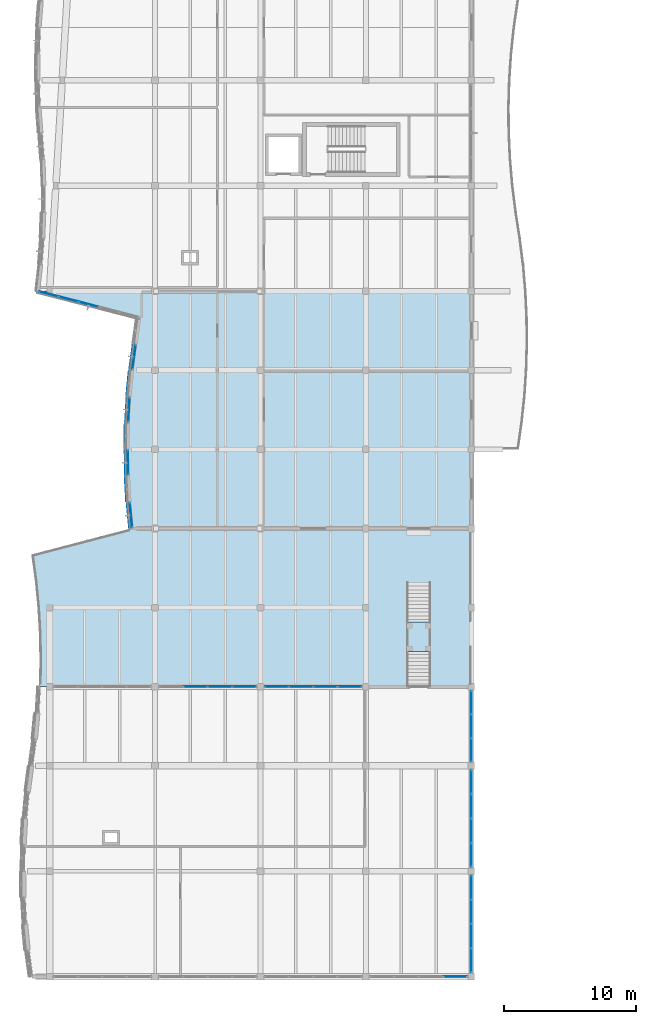
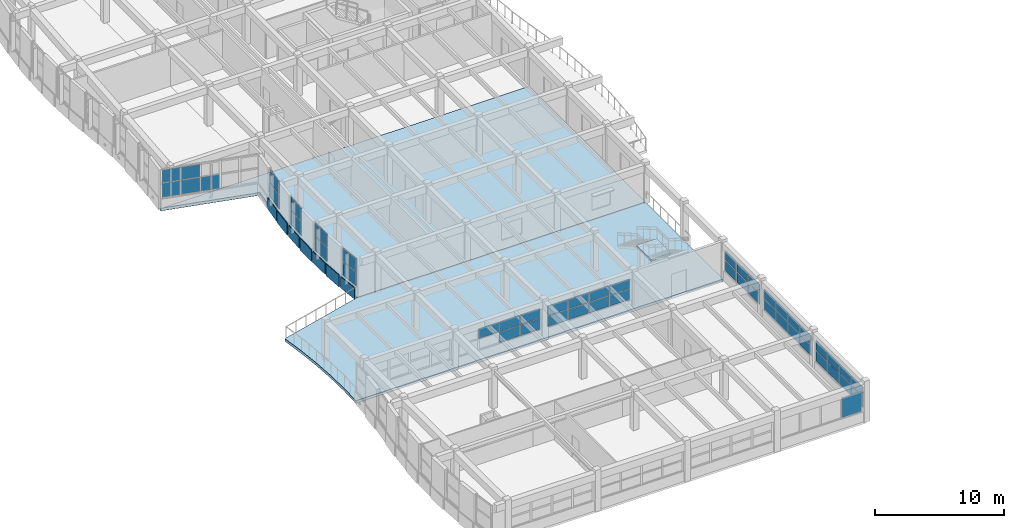
# One storey, part 44 of 89: 56 plates, 3 slabs, 12 elements without a shape of their own.
"""IFC4 building model written with IfcOpenShell, lengths in metres."""

from ifc_helpers import new_model, si_unit, direction, frame, origin, origin_2d, place, context, subcontext, project, spatial, polyline, rectangle, outline, extrude, material, layer, layer_set, type_object, element, aggregate, save


model = new_model("IFC4")

# Units and contexts
model_context = context("Model", 3, precision=1e-05, world=origin(), true_north=direction((0.0, 1.0)))
body_context = subcontext(model_context, "Body", "Model", "MODEL_VIEW")
ifc_project = project(units=[si_unit("LENGTHUNIT", "METRE"), si_unit("AREAUNIT", "SQUARE_METRE"), si_unit("VOLUMEUNIT", "CUBIC_METRE"), si_unit("PLANEANGLEUNIT", "RADIAN"), si_unit("MASSUNIT", "GRAM", prefix="KILO")], contexts=[model_context])

# Site, building, storey
site_placement = place(None, origin())
site = spatial("IfcSite", under=ifc_project, at=site_placement, CompositionType="ELEMENT")
building_placement = place(site_placement, origin())
building = spatial("IfcBuilding", under=site, at=building_placement, Name="Tonlespit Floodbar School", CompositionType="ELEMENT")
storey_placement = place(building_placement, frame((0.0, 0.0, 4.5)))
storey = spatial("IfcBuildingStorey", under=building, at=storey_placement, Name="L01", CompositionType="ELEMENT", Elevation=4.5)

# Curtain wall, plates
ifc_material_1 = material(Name="Anodised Aluminium", Category="aluminium")
ifc_layer_1 = layer(ifc_material_1, 0.159912109375)
ifc_layer_set_1 = layer_set([ifc_layer_1], Name="Anodised Aluminium")
curtain_wall_type_1 = type_object("IfcCurtainWallType", Name="CurtainWall_1900x2700", PredefinedType="NOTDEFINED", material=ifc_layer_set_1)
curtain_wall_1_placement = place(storey_placement, origin())
curtain_wall_1 = element("IfcCurtainWall", 1, at=curtain_wall_1_placement, inside=storey, type_object=curtain_wall_type_1, Name="L01 unitised curtain wall 0269", PredefinedType="NOTDEFINED")
ifc_material_2 = material(Name="Laminated Low-E Glass", Category="glass")
ifc_layer_2 = layer(ifc_material_2, 0.028076171875)
ifc_layer_set_2 = layer_set([ifc_layer_2], Name="Laminated Low-E Glass")
plate_type_1 = type_object("IfcPlateType", Name="CW_Panel_Glaz_28", PredefinedType="CURTAIN_PANEL", material=ifc_layer_set_2)
plate_1_placement = place(storey_placement, frame((10.027099609375, 47.0, 1.01513671875), z_axis=(0.0, 0.0, 1.0), x_axis=(0.057710137129, 0.998333381227, 0.0)))
plate_1 = element("IfcPlate", 2, at=plate_1_placement, type_object=plate_type_1, Name="CW-05 panel 1.1", PredefinedType="CURTAIN_PANEL", context=body_context, shape_type="SweptSolid", body=[
    extrude(rectangle(XDim=1.79345703125, YDim=0.028076171875, at=origin_2d()), origin(), (0.0, 0.0, 1.0), 1.306396484375),
])
plate_2_placement = place(storey_placement, frame((10.027099609375, 47.0, 2.38671875), z_axis=(0.0, 0.0, 1.0), x_axis=(0.057710137129, 0.998333381227, 0.0)))
plate_2 = element("IfcPlate", 3, at=plate_2_placement, type_object=plate_type_1, Name="CW-05 panel 1.2", PredefinedType="CURTAIN_PANEL", context=body_context, shape_type="SweptSolid", body=[
    extrude(rectangle(XDim=1.79345703125, YDim=0.028076171875, at=origin_2d()), origin(), (0.0, 0.0, 1.0), 1.198486328125),
])
aggregate(curtain_wall_1, [plate_1, plate_2])

ifc_layer_3 = layer(ifc_material_1, 0.159912109375)
ifc_layer_set_3 = layer_set([ifc_layer_3], Name="Anodised Aluminium")
curtain_wall_type_2 = type_object("IfcCurtainWallType", Name="CurtainWall_1950x2700", PredefinedType="NOTDEFINED", material=ifc_layer_set_3)
curtain_wall_2_placement = place(storey_placement, origin())
curtain_wall_2 = element("IfcCurtainWall", 4, at=curtain_wall_2_placement, inside=storey, type_object=curtain_wall_type_2, Name="L01 unitised curtain wall 0270", PredefinedType="NOTDEFINED")
ifc_layer_4 = layer(ifc_material_2, 0.031982421875)
ifc_layer_set_4 = layer_set([ifc_layer_4], Name="Laminated Low-E Glass")
plate_type_2 = type_object("IfcPlateType", Name="CW_Panel_Glaz_32", PredefinedType="CURTAIN_PANEL", material=ifc_layer_set_4)
plate_3_placement = place(storey_placement, frame((10.4140625, 51.0, 1.01513671875), z_axis=(0.0, 0.0, 1.0), x_axis=(0.134643564765, 0.990894096494, 0.0)))
plate_3 = element("IfcPlate", 5, at=plate_3_placement, type_object=plate_type_2, Name="CW-04 panel 1.1", PredefinedType="CURTAIN_PANEL", context=body_context, shape_type="SweptSolid", body=[
    extrude(rectangle(XDim=1.808349609375, YDim=0.031982421875, at=origin_2d()), origin(), (0.0, 0.0, 1.0), 1.306396484375),
])
plate_4_placement = place(storey_placement, frame((10.4140625, 51.0, 2.38671875), z_axis=(0.0, 0.0, 1.0), x_axis=(0.134643564765, 0.990894096494, 0.0)))
plate_4 = element("IfcPlate", 6, at=plate_4_placement, type_object=plate_type_2, Name="CW-04 panel 1.2", PredefinedType="CURTAIN_PANEL", context=body_context, shape_type="SweptSolid", body=[
    extrude(rectangle(XDim=1.808349609375, YDim=0.031982421875, at=origin_2d()), origin(), (0.0, 0.0, 1.0), 1.198486328125),
])
aggregate(curtain_wall_2, [plate_3, plate_4])

# Curtain wall, plate
ifc_layer_5 = layer(ifc_material_1, 0.159912109375)
ifc_layer_set_5 = layer_set([ifc_layer_5], Name="Anodised Aluminium")
curtain_wall_type_3 = type_object("IfcCurtainWallType", Name="CurtainWall_7400x2000", PredefinedType="NOTDEFINED", material=ifc_layer_set_5)
curtain_wall_3_placement = place(storey_placement, origin())
curtain_wall_3 = element("IfcCurtainWall", 7, at=curtain_wall_3_placement, inside=storey, type_object=curtain_wall_type_3, Name="L01 unitised curtain wall 0518", PredefinedType="NOTDEFINED")
plate_5_placement = place(storey_placement, frame((34.766357421875, 4.0, 1.01513671875), z_axis=(0.0, 0.0, 1.0), x_axis=(-1.0, 0.0, 0.0)))
plate_5 = element("IfcPlate", 8, at=plate_5_placement, type_object=plate_type_2, Name="CW-60 panel 1.1", PredefinedType="CURTAIN_PANEL", context=body_context, shape_type="SweptSolid", body=[
    extrude(rectangle(XDim=1.757568359375, YDim=0.031982421875, at=origin_2d()), origin(), (0.0, 0.0, 1.0), 1.867919921875),
])
aggregate(curtain_wall_3, [plate_5])

# Curtain wall, plates
ifc_layer_6 = layer(ifc_material_1, 0.159912109375)
ifc_layer_set_6 = layer_set([ifc_layer_6], Name="Anodised Aluminium")
curtain_wall_type_4 = type_object("IfcCurtainWallType", Name="CurtainWall_5400x2050", PredefinedType="NOTDEFINED", material=ifc_layer_set_6)
curtain_wall_4_placement = place(storey_placement, origin())
curtain_wall_4 = element("IfcCurtainWall", 9, at=curtain_wall_4_placement, inside=storey, type_object=curtain_wall_type_4, Name="L01 unitised curtain wall 0522", PredefinedType="NOTDEFINED")
plate_6_placement = place(storey_placement, frame((36.0, 24.79052734375, 1.01513671875), z_axis=(0.0, 0.0, 1.0), x_axis=(0.0, -1.0, 0.0)))
plate_6 = element("IfcPlate", 10, at=plate_6_placement, type_object=plate_type_2, Name="CW-84 panel 1.1", PredefinedType="CURTAIN_PANEL", context=body_context, shape_type="SweptSolid", body=[
    extrude(rectangle(XDim=1.709228515625, YDim=0.031982421875, at=origin_2d()), origin(), (0.0, 0.0, 1.0), 0.967529296875),
])
plate_7_placement = place(storey_placement, frame((36.0, 24.79052734375, 2.04736328125), z_axis=(0.0, 0.0, 1.0), x_axis=(0.0, -1.0, 0.0)))
plate_7 = element("IfcPlate", 11, at=plate_7_placement, type_object=plate_type_2, Name="CW-84 panel 1.2", PredefinedType="CURTAIN_PANEL", context=body_context, shape_type="SweptSolid", body=[
    extrude(rectangle(XDim=1.709228515625, YDim=0.031982421875, at=origin_2d()), origin(), (0.0, 0.0, 1.0), 0.885498046875),
])
plate_8_placement = place(storey_placement, frame((36.0, 23.0, 1.01513671875), z_axis=(0.0, 0.0, 1.0), x_axis=(0.0, -1.0, 0.0)))
plate_8 = element("IfcPlate", 12, at=plate_8_placement, type_object=plate_type_2, Name="CW-84 panel 2.1", PredefinedType="CURTAIN_PANEL", context=body_context, shape_type="SweptSolid", body=[
    extrude(rectangle(XDim=1.74169921875, YDim=0.031982421875, at=origin_2d()), origin(), (0.0, 0.0, 1.0), 0.967529296875),
])
plate_9_placement = place(storey_placement, frame((36.0, 23.0, 2.04736328125), z_axis=(0.0, 0.0, 1.0), x_axis=(0.0, -1.0, 0.0)))
plate_9 = element("IfcPlate", 13, at=plate_9_placement, type_object=plate_type_2, Name="CW-84 panel 2.2", PredefinedType="CURTAIN_PANEL", context=body_context, shape_type="SweptSolid", body=[
    extrude(rectangle(XDim=1.74169921875, YDim=0.031982421875, at=origin_2d()), origin(), (0.0, 0.0, 1.0), 0.885498046875),
])
plate_10_placement = place(storey_placement, frame((36.0, 21.20947265625, 1.01513671875), z_axis=(0.0, 0.0, 1.0), x_axis=(0.0, -1.0, 0.0)))
plate_10 = element("IfcPlate", 14, at=plate_10_placement, type_object=plate_type_2, Name="CW-84 panel 3.1", PredefinedType="CURTAIN_PANEL", context=body_context, shape_type="SweptSolid", body=[
    extrude(rectangle(XDim=1.709228515625, YDim=0.031982421875, at=origin_2d()), origin(), (0.0, 0.0, 1.0), 0.967529296875),
])
plate_11_placement = place(storey_placement, frame((36.0, 21.20947265625, 2.04736328125), z_axis=(0.0, 0.0, 1.0), x_axis=(0.0, -1.0, 0.0)))
plate_11 = element("IfcPlate", 15, at=plate_11_placement, type_object=plate_type_2, Name="CW-84 panel 3.2", PredefinedType="CURTAIN_PANEL", context=body_context, shape_type="SweptSolid", body=[
    extrude(rectangle(XDim=1.709228515625, YDim=0.031982421875, at=origin_2d()), origin(), (0.0, 0.0, 1.0), 0.885498046875),
])
aggregate(curtain_wall_4, [plate_6, plate_7, plate_8, plate_9, plate_10, plate_11])

ifc_layer_7 = layer(ifc_material_1, 0.159912109375)
ifc_layer_set_7 = layer_set([ifc_layer_7], Name="Anodised Aluminium")
curtain_wall_type_5 = type_object("IfcCurtainWallType", Name="CurtainWall_7400x2050", PredefinedType="NOTDEFINED", material=ifc_layer_set_7)
curtain_wall_5_placement = place(storey_placement, origin())
curtain_wall_5 = element("IfcCurtainWall", 16, at=curtain_wall_5_placement, inside=storey, type_object=curtain_wall_type_5, Name="L01 unitised curtain wall 0526", PredefinedType="NOTDEFINED")
plate_12_placement = place(storey_placement, frame((15.072509765625, 26.0, 2.04833984375), z_axis=(0.0, 0.0, 1.0), x_axis=(1.0, 0.0, 0.0)))
plate_12 = element("IfcPlate", 17, at=plate_12_placement, type_object=plate_type_2, Name="CW-36 panel 2.2", PredefinedType="CURTAIN_PANEL", context=body_context, shape_type="SweptSolid", body=[
    extrude(rectangle(XDim=1.7900390625, YDim=0.031982421875, at=origin_2d()), origin(), (0.0, 0.0, 1.0), 0.886474609375),
])
plate_13_placement = place(storey_placement, frame((16.927490234375, 26.0, 1.01513671875), z_axis=(0.0, 0.0, 1.0), x_axis=(1.0, 0.0, 0.0)))
plate_13 = element("IfcPlate", 18, at=plate_13_placement, type_object=plate_type_2, Name="CW-36 panel 3.1", PredefinedType="CURTAIN_PANEL", context=body_context, shape_type="SweptSolid", body=[
    extrude(rectangle(XDim=1.7900390625, YDim=0.031982421875, at=origin_2d()), origin(), (0.0, 0.0, 1.0), 0.968505859375),
])
plate_14_placement = place(storey_placement, frame((16.927490234375, 26.0, 2.04833984375), z_axis=(0.0, 0.0, 1.0), x_axis=(1.0, 0.0, 0.0)))
plate_14 = element("IfcPlate", 19, at=plate_14_placement, type_object=plate_type_2, Name="CW-36 panel 3.2", PredefinedType="CURTAIN_PANEL", context=body_context, shape_type="SweptSolid", body=[
    extrude(rectangle(XDim=1.7900390625, YDim=0.031982421875, at=origin_2d()), origin(), (0.0, 0.0, 1.0), 0.886474609375),
])
plate_15_placement = place(storey_placement, frame((18.766357421875, 26.0, 1.01513671875), z_axis=(0.0, 0.0, 1.0), x_axis=(1.0, 0.0, 0.0)))
plate_15 = element("IfcPlate", 20, at=plate_15_placement, type_object=plate_type_2, Name="CW-36 panel 4.1", PredefinedType="CURTAIN_PANEL", context=body_context, shape_type="SweptSolid", body=[
    extrude(rectangle(XDim=1.757568359375, YDim=0.031982421875, at=origin_2d()), origin(), (0.0, 0.0, 1.0), 0.968505859375),
])
plate_16_placement = place(storey_placement, frame((18.766357421875, 26.0, 2.04833984375), z_axis=(0.0, 0.0, 1.0), x_axis=(1.0, 0.0, 0.0)))
plate_16 = element("IfcPlate", 21, at=plate_16_placement, type_object=plate_type_2, Name="CW-36 panel 4.2", PredefinedType="CURTAIN_PANEL", context=body_context, shape_type="SweptSolid", body=[
    extrude(rectangle(XDim=1.757568359375, YDim=0.031982421875, at=origin_2d()), origin(), (0.0, 0.0, 1.0), 0.886474609375),
])
aggregate(curtain_wall_5, [plate_12, plate_13, plate_14, plate_15, plate_16])

curtain_wall_6_placement = place(storey_placement, origin())
curtain_wall_6 = element("IfcCurtainWall", 22, at=curtain_wall_6_placement, inside=storey, type_object=curtain_wall_type_2, Name="L01 unitised curtain wall 0267", PredefinedType="NOTDEFINED")
ifc_layer_8 = layer(ifc_material_2, 0.035888671875)
ifc_layer_set_8 = layer_set([ifc_layer_8], Name="Laminated Low-E Glass")
plate_type_3 = type_object("IfcPlateType", Name="CW_Panel_Glaz_36", PredefinedType="CURTAIN_PANEL", material=ifc_layer_set_8)
plate_17_placement = place(storey_placement, frame((10.181640625, 39.0, 1.01513671875), z_axis=(0.0, 0.0, 1.0), x_axis=(-0.096198303585, 0.995362188546, 0.0)))
plate_17 = element("IfcPlate", 23, at=plate_17_placement, type_object=plate_type_3, Name="CW-04 panel 1.1", PredefinedType="CURTAIN_PANEL", context=body_context, shape_type="SweptSolid", body=[
    extrude(rectangle(XDim=1.79931640625, YDim=0.035888671875, at=origin_2d()), origin(), (0.0, 0.0, 1.0), 1.306396484375),
])
plate_18_placement = place(storey_placement, frame((10.181640625, 39.0, 2.38671875), z_axis=(0.0, 0.0, 1.0), x_axis=(-0.096198303585, 0.995362188546, 0.0)))
plate_18 = element("IfcPlate", 24, at=plate_18_placement, type_object=plate_type_3, Name="CW-04 panel 1.2", PredefinedType="CURTAIN_PANEL", context=body_context, shape_type="SweptSolid", body=[
    extrude(rectangle(XDim=1.79931640625, YDim=0.035888671875, at=origin_2d()), origin(), (0.0, 0.0, 1.0), 1.198486328125),
])
aggregate(curtain_wall_6, [plate_17, plate_18])

ifc_layer_9 = layer(ifc_material_1, 0.159912109375)
ifc_layer_set_9 = layer_set([ifc_layer_9], Name="Anodised Aluminium")
curtain_wall_type_6 = type_object("IfcCurtainWallType", Name="CurtainWall_7900x2700", PredefinedType="NOTDEFINED", material=ifc_layer_set_9)
curtain_wall_7_placement = place(storey_placement, origin())
curtain_wall_7 = element("IfcCurtainWall", 25, at=curtain_wall_7_placement, inside=storey, type_object=curtain_wall_type_6, Name="L01 unitised curtain wall 0271", PredefinedType="NOTDEFINED")
plate_19_placement = place(storey_placement, frame((6.968505859375, 55.0, 1.01513671875), z_axis=(0.0, 0.0, 1.0), x_axis=(-0.967934999685, 0.25120078898, 0.0)))
plate_19 = element("IfcPlate", 26, at=plate_19_placement, type_object=plate_type_3, Name="CW-35 panel 3.1", PredefinedType="CURTAIN_PANEL", context=body_context, shape_type="SweptSolid", body=[
    extrude(rectangle(XDim=1.511474609375, YDim=0.035888671875, at=origin_2d()), origin(), (0.0, 0.0, 1.0), 1.306396484375),
])
plate_20_placement = place(storey_placement, frame((5.442626953125, 55.39599609375, 1.01513671875), z_axis=(0.0, 0.0, 1.0), x_axis=(-0.967934999685, 0.25120078898, 0.0)))
plate_20 = element("IfcPlate", 27, at=plate_20_placement, type_object=plate_type_3, Name="CW-35 panel 4.1", PredefinedType="CURTAIN_PANEL", context=body_context, shape_type="SweptSolid", body=[
    extrude(rectangle(XDim=1.511474609375, YDim=0.035888671875, at=origin_2d()), origin(), (0.0, 0.0, 1.0), 1.306396484375),
])
plate_21_placement = place(storey_placement, frame((5.442626953125, 55.39599609375, 2.38671875), z_axis=(0.0, 0.0, 1.0), x_axis=(-0.967934999685, 0.25120078898, 0.0)))
plate_21 = element("IfcPlate", 28, at=plate_21_placement, type_object=plate_type_3, Name="CW-35 panel 4.2", PredefinedType="CURTAIN_PANEL", context=body_context, shape_type="SweptSolid", body=[
    extrude(rectangle(XDim=1.511474609375, YDim=0.035888671875, at=origin_2d()), origin(), (0.0, 0.0, 1.0), 1.198486328125),
])
plate_22_placement = place(storey_placement, frame((3.932373046875, 55.787841796875, 1.01513671875), z_axis=(0.0, 0.0, 1.0), x_axis=(-0.967934999685, 0.25120078898, 0.0)))
plate_22 = element("IfcPlate", 29, at=plate_22_placement, type_object=plate_type_3, Name="CW-35 panel 5.1", PredefinedType="CURTAIN_PANEL", context=body_context, shape_type="SweptSolid", body=[
    extrude(rectangle(XDim=1.47900390625, YDim=0.035888671875, at=origin_2d()), origin(), (0.0, 0.0, 1.0), 1.306396484375),
])
plate_23_placement = place(storey_placement, frame((3.932373046875, 55.787841796875, 2.38671875), z_axis=(0.0, 0.0, 1.0), x_axis=(-0.967934999685, 0.25120078898, 0.0)))
plate_23 = element("IfcPlate", 30, at=plate_23_placement, type_object=plate_type_3, Name="CW-35 panel 5.2", PredefinedType="CURTAIN_PANEL", context=body_context, shape_type="SweptSolid", body=[
    extrude(rectangle(XDim=1.47900390625, YDim=0.035888671875, at=origin_2d()), origin(), (0.0, 0.0, 1.0), 1.198486328125),
])
aggregate(curtain_wall_7, [plate_19, plate_20, plate_21, plate_22, plate_23])

curtain_wall_8_placement = place(storey_placement, origin())
curtain_wall_8 = element("IfcCurtainWall", 31, at=curtain_wall_8_placement, inside=storey, type_object=curtain_wall_type_5, Name="L01 unitised curtain wall 0523", PredefinedType="NOTDEFINED")
plate_24_placement = place(storey_placement, frame((36.0, 18.766357421875, 1.01513671875), z_axis=(0.0, 0.0, 1.0), x_axis=(0.0, -1.0, 0.0)))
plate_24 = element("IfcPlate", 32, at=plate_24_placement, type_object=plate_type_3, Name="CW-36 panel 1.1", PredefinedType="CURTAIN_PANEL", context=body_context, shape_type="SweptSolid", body=[
    extrude(rectangle(XDim=1.757568359375, YDim=0.035888671875, at=origin_2d()), origin(), (0.0, 0.0, 1.0), 0.967529296875),
])
plate_25_placement = place(storey_placement, frame((36.0, 18.766357421875, 2.04736328125), z_axis=(0.0, 0.0, 1.0), x_axis=(0.0, -1.0, 0.0)))
plate_25 = element("IfcPlate", 33, at=plate_25_placement, type_object=plate_type_3, Name="CW-36 panel 1.2", PredefinedType="CURTAIN_PANEL", context=body_context, shape_type="SweptSolid", body=[
    extrude(rectangle(XDim=1.757568359375, YDim=0.035888671875, at=origin_2d()), origin(), (0.0, 0.0, 1.0), 0.885498046875),
])
plate_26_placement = place(storey_placement, frame((36.0, 16.927490234375, 1.01513671875), z_axis=(0.0, 0.0, 1.0), x_axis=(0.0, -1.0, 0.0)))
plate_26 = element("IfcPlate", 34, at=plate_26_placement, type_object=plate_type_3, Name="CW-36 panel 2.1", PredefinedType="CURTAIN_PANEL", context=body_context, shape_type="SweptSolid", body=[
    extrude(rectangle(XDim=1.7900390625, YDim=0.035888671875, at=origin_2d()), origin(), (0.0, 0.0, 1.0), 0.967529296875),
])
plate_27_placement = place(storey_placement, frame((36.0, 16.927490234375, 2.04736328125), z_axis=(0.0, 0.0, 1.0), x_axis=(0.0, -1.0, 0.0)))
plate_27 = element("IfcPlate", 35, at=plate_27_placement, type_object=plate_type_3, Name="CW-36 panel 2.2", PredefinedType="CURTAIN_PANEL", context=body_context, shape_type="SweptSolid", body=[
    extrude(rectangle(XDim=1.7900390625, YDim=0.035888671875, at=origin_2d()), origin(), (0.0, 0.0, 1.0), 0.885498046875),
])
plate_28_placement = place(storey_placement, frame((36.0, 15.072509765625, 1.01513671875), z_axis=(0.0, 0.0, 1.0), x_axis=(0.0, -1.0, 0.0)))
plate_28 = element("IfcPlate", 36, at=plate_28_placement, type_object=plate_type_3, Name="CW-36 panel 3.1", PredefinedType="CURTAIN_PANEL", context=body_context, shape_type="SweptSolid", body=[
    extrude(rectangle(XDim=1.7900390625, YDim=0.035888671875, at=origin_2d()), origin(), (0.0, 0.0, 1.0), 0.967529296875),
])
plate_29_placement = place(storey_placement, frame((36.0, 15.072509765625, 2.04736328125), z_axis=(0.0, 0.0, 1.0), x_axis=(0.0, -1.0, 0.0)))
plate_29 = element("IfcPlate", 37, at=plate_29_placement, type_object=plate_type_3, Name="CW-36 panel 3.2", PredefinedType="CURTAIN_PANEL", context=body_context, shape_type="SweptSolid", body=[
    extrude(rectangle(XDim=1.7900390625, YDim=0.035888671875, at=origin_2d()), origin(), (0.0, 0.0, 1.0), 0.885498046875),
])
plate_30_placement = place(storey_placement, frame((36.0, 13.233642578125, 1.01513671875), z_axis=(0.0, 0.0, 1.0), x_axis=(0.0, -1.0, 0.0)))
plate_30 = element("IfcPlate", 38, at=plate_30_placement, type_object=plate_type_3, Name="CW-36 panel 4.1", PredefinedType="CURTAIN_PANEL", context=body_context, shape_type="SweptSolid", body=[
    extrude(rectangle(XDim=1.757568359375, YDim=0.035888671875, at=origin_2d()), origin(), (0.0, 0.0, 1.0), 0.967529296875),
])
plate_31_placement = place(storey_placement, frame((36.0, 13.233642578125, 2.04736328125), z_axis=(0.0, 0.0, 1.0), x_axis=(0.0, -1.0, 0.0)))
plate_31 = element("IfcPlate", 39, at=plate_31_placement, type_object=plate_type_3, Name="CW-36 panel 4.2", PredefinedType="CURTAIN_PANEL", context=body_context, shape_type="SweptSolid", body=[
    extrude(rectangle(XDim=1.757568359375, YDim=0.035888671875, at=origin_2d()), origin(), (0.0, 0.0, 1.0), 0.885498046875),
])
aggregate(curtain_wall_8, [plate_24, plate_25, plate_26, plate_27, plate_28, plate_29, plate_30, plate_31])

curtain_wall_9_placement = place(storey_placement, origin())
curtain_wall_9 = element("IfcCurtainWall", 40, at=curtain_wall_9_placement, inside=storey, type_object=curtain_wall_type_5, Name="L01 unitised curtain wall 0527", PredefinedType="NOTDEFINED")
plate_32_placement = place(storey_placement, frame((21.233642578125, 26.0, 1.01513671875), z_axis=(0.0, 0.0, 1.0), x_axis=(1.0, 0.0, 0.0)))
plate_32 = element("IfcPlate", 41, at=plate_32_placement, type_object=plate_type_3, Name="CW-36 panel 1.1", PredefinedType="CURTAIN_PANEL", context=body_context, shape_type="SweptSolid", body=[
    extrude(rectangle(XDim=1.757568359375, YDim=0.035888671875, at=origin_2d()), origin(), (0.0, 0.0, 1.0), 0.967529296875),
])
plate_33_placement = place(storey_placement, frame((21.233642578125, 26.0, 2.04736328125), z_axis=(0.0, 0.0, 1.0), x_axis=(1.0, 0.0, 0.0)))
plate_33 = element("IfcPlate", 42, at=plate_33_placement, type_object=plate_type_3, Name="CW-36 panel 1.2", PredefinedType="CURTAIN_PANEL", context=body_context, shape_type="SweptSolid", body=[
    extrude(rectangle(XDim=1.757568359375, YDim=0.035888671875, at=origin_2d()), origin(), (0.0, 0.0, 1.0), 0.885498046875),
])
plate_34_placement = place(storey_placement, frame((23.072509765625, 26.0, 1.01513671875), z_axis=(0.0, 0.0, 1.0), x_axis=(1.0, 0.0, 0.0)))
plate_34 = element("IfcPlate", 43, at=plate_34_placement, type_object=plate_type_3, Name="CW-36 panel 2.1", PredefinedType="CURTAIN_PANEL", context=body_context, shape_type="SweptSolid", body=[
    extrude(rectangle(XDim=1.7900390625, YDim=0.035888671875, at=origin_2d()), origin(), (0.0, 0.0, 1.0), 0.967529296875),
])
plate_35_placement = place(storey_placement, frame((23.072509765625, 26.0, 2.04736328125), z_axis=(0.0, 0.0, 1.0), x_axis=(1.0, 0.0, 0.0)))
plate_35 = element("IfcPlate", 44, at=plate_35_placement, type_object=plate_type_3, Name="CW-36 panel 2.2", PredefinedType="CURTAIN_PANEL", context=body_context, shape_type="SweptSolid", body=[
    extrude(rectangle(XDim=1.7900390625, YDim=0.035888671875, at=origin_2d()), origin(), (0.0, 0.0, 1.0), 0.885498046875),
])
plate_36_placement = place(storey_placement, frame((24.927490234375, 26.0, 1.01513671875), z_axis=(0.0, 0.0, 1.0), x_axis=(1.0, 0.0, 0.0)))
plate_36 = element("IfcPlate", 45, at=plate_36_placement, type_object=plate_type_3, Name="CW-36 panel 3.1", PredefinedType="CURTAIN_PANEL", context=body_context, shape_type="SweptSolid", body=[
    extrude(rectangle(XDim=1.7900390625, YDim=0.035888671875, at=origin_2d()), origin(), (0.0, 0.0, 1.0), 0.967529296875),
])
plate_37_placement = place(storey_placement, frame((24.927490234375, 26.0, 2.04736328125), z_axis=(0.0, 0.0, 1.0), x_axis=(1.0, 0.0, 0.0)))
plate_37 = element("IfcPlate", 46, at=plate_37_placement, type_object=plate_type_3, Name="CW-36 panel 3.2", PredefinedType="CURTAIN_PANEL", context=body_context, shape_type="SweptSolid", body=[
    extrude(rectangle(XDim=1.7900390625, YDim=0.035888671875, at=origin_2d()), origin(), (0.0, 0.0, 1.0), 0.885498046875),
])
plate_38_placement = place(storey_placement, frame((26.766357421875, 26.0, 1.01513671875), z_axis=(0.0, 0.0, 1.0), x_axis=(1.0, 0.0, 0.0)))
plate_38 = element("IfcPlate", 47, at=plate_38_placement, type_object=plate_type_3, Name="CW-36 panel 4.1", PredefinedType="CURTAIN_PANEL", context=body_context, shape_type="SweptSolid", body=[
    extrude(rectangle(XDim=1.757568359375, YDim=0.035888671875, at=origin_2d()), origin(), (0.0, 0.0, 1.0), 0.967529296875),
])
plate_39_placement = place(storey_placement, frame((26.766357421875, 26.0, 2.04736328125), z_axis=(0.0, 0.0, 1.0), x_axis=(1.0, 0.0, 0.0)))
plate_39 = element("IfcPlate", 48, at=plate_39_placement, type_object=plate_type_3, Name="CW-36 panel 4.2", PredefinedType="CURTAIN_PANEL", context=body_context, shape_type="SweptSolid", body=[
    extrude(rectangle(XDim=1.757568359375, YDim=0.035888671875, at=origin_2d()), origin(), (0.0, 0.0, 1.0), 0.885498046875),
])
aggregate(curtain_wall_9, [plate_32, plate_33, plate_34, plate_35, plate_36, plate_37, plate_38, plate_39])

curtain_wall_10_placement = place(storey_placement, origin())
curtain_wall_10 = element("IfcCurtainWall", 49, at=curtain_wall_10_placement, inside=storey, type_object=curtain_wall_type_1, Name="L01 unitised curtain wall 0268", PredefinedType="NOTDEFINED")
ifc_layer_10 = layer(ifc_material_2, 0.0419921875)
ifc_layer_set_10 = layer_set([ifc_layer_10], Name="Laminated Low-E Glass")
plate_type_4 = type_object("IfcPlateType", Name="CW_Panel_Glaz_42", PredefinedType="CURTAIN_PANEL", material=ifc_layer_set_10)
plate_40_placement = place(storey_placement, frame((9.9501953125, 43.0, 1.01513671875), z_axis=(0.0, 0.0, 1.0), x_axis=(-0.019215201653, 0.999815370969, 0.0)))
plate_40 = element("IfcPlate", 50, at=plate_40_placement, type_object=plate_type_4, Name="CW-05 panel 1.1", PredefinedType="CURTAIN_PANEL", context=body_context, shape_type="SweptSolid", body=[
    extrude(rectangle(XDim=1.790283203125, YDim=0.0419921875, at=origin_2d()), origin(), (0.0, 0.0, 1.0), 1.306396484375),
])
plate_41_placement = place(storey_placement, frame((9.9501953125, 43.0, 2.38671875), z_axis=(0.0, 0.0, 1.0), x_axis=(-0.019215201653, 0.999815370969, 0.0)))
plate_41 = element("IfcPlate", 51, at=plate_41_placement, type_object=plate_type_4, Name="CW-05 panel 1.2", PredefinedType="CURTAIN_PANEL", context=body_context, shape_type="SweptSolid", body=[
    extrude(rectangle(XDim=1.790283203125, YDim=0.0419921875, at=origin_2d()), origin(), (0.0, 0.0, 1.0), 1.198486328125),
])
aggregate(curtain_wall_10, [plate_40, plate_41])

curtain_wall_11_placement = place(storey_placement, origin())
curtain_wall_11 = element("IfcCurtainWall", 52, at=curtain_wall_11_placement, inside=storey, type_object=curtain_wall_type_5, Name="L01 unitised curtain wall 0524", PredefinedType="NOTDEFINED")
plate_42_placement = place(storey_placement, frame((36.0, 10.766357421875, 1.01513671875), z_axis=(0.0, 0.0, 1.0), x_axis=(0.0, -1.0, 0.0)))
plate_42 = element("IfcPlate", 53, at=plate_42_placement, type_object=plate_type_4, Name="CW-36 panel 1.1", PredefinedType="CURTAIN_PANEL", context=body_context, shape_type="SweptSolid", body=[
    extrude(rectangle(XDim=1.757568359375, YDim=0.0419921875, at=origin_2d()), origin(), (0.0, 0.0, 1.0), 0.967529296875),
])
plate_43_placement = place(storey_placement, frame((36.0, 10.766357421875, 2.04736328125), z_axis=(0.0, 0.0, 1.0), x_axis=(0.0, -1.0, 0.0)))
plate_43 = element("IfcPlate", 54, at=plate_43_placement, type_object=plate_type_4, Name="CW-36 panel 1.2", PredefinedType="CURTAIN_PANEL", context=body_context, shape_type="SweptSolid", body=[
    extrude(rectangle(XDim=1.757568359375, YDim=0.0419921875, at=origin_2d()), origin(), (0.0, 0.0, 1.0), 0.885498046875),
])
plate_44_placement = place(storey_placement, frame((36.0, 8.927490234375, 1.01513671875), z_axis=(0.0, 0.0, 1.0), x_axis=(0.0, -1.0, 0.0)))
plate_44 = element("IfcPlate", 55, at=plate_44_placement, type_object=plate_type_4, Name="CW-36 panel 2.1", PredefinedType="CURTAIN_PANEL", context=body_context, shape_type="SweptSolid", body=[
    extrude(rectangle(XDim=1.7900390625, YDim=0.0419921875, at=origin_2d()), origin(), (0.0, 0.0, 1.0), 0.967529296875),
])
plate_45_placement = place(storey_placement, frame((36.0, 8.927490234375, 2.04736328125), z_axis=(0.0, 0.0, 1.0), x_axis=(0.0, -1.0, 0.0)))
plate_45 = element("IfcPlate", 56, at=plate_45_placement, type_object=plate_type_4, Name="CW-36 panel 2.2", PredefinedType="CURTAIN_PANEL", context=body_context, shape_type="SweptSolid", body=[
    extrude(rectangle(XDim=1.7900390625, YDim=0.0419921875, at=origin_2d()), origin(), (0.0, 0.0, 1.0), 0.885498046875),
])
plate_46_placement = place(storey_placement, frame((36.0, 7.072509765625, 1.01513671875), z_axis=(0.0, 0.0, 1.0), x_axis=(0.0, -1.0, 0.0)))
plate_46 = element("IfcPlate", 57, at=plate_46_placement, type_object=plate_type_4, Name="CW-36 panel 3.1", PredefinedType="CURTAIN_PANEL", context=body_context, shape_type="SweptSolid", body=[
    extrude(rectangle(XDim=1.7900390625, YDim=0.0419921875, at=origin_2d()), origin(), (0.0, 0.0, 1.0), 0.967529296875),
])
plate_47_placement = place(storey_placement, frame((36.0, 7.072509765625, 2.04736328125), z_axis=(0.0, 0.0, 1.0), x_axis=(0.0, -1.0, 0.0)))
plate_47 = element("IfcPlate", 58, at=plate_47_placement, type_object=plate_type_4, Name="CW-36 panel 3.2", PredefinedType="CURTAIN_PANEL", context=body_context, shape_type="SweptSolid", body=[
    extrude(rectangle(XDim=1.7900390625, YDim=0.0419921875, at=origin_2d()), origin(), (0.0, 0.0, 1.0), 0.885498046875),
])
plate_48_placement = place(storey_placement, frame((36.0, 5.233642578125, 1.01513671875), z_axis=(0.0, 0.0, 1.0), x_axis=(0.0, -1.0, 0.0)))
plate_48 = element("IfcPlate", 59, at=plate_48_placement, type_object=plate_type_4, Name="CW-36 panel 4.1", PredefinedType="CURTAIN_PANEL", context=body_context, shape_type="SweptSolid", body=[
    extrude(rectangle(XDim=1.757568359375, YDim=0.0419921875, at=origin_2d()), origin(), (0.0, 0.0, 1.0), 0.967529296875),
])
plate_49_placement = place(storey_placement, frame((36.0, 5.233642578125, 2.04736328125), z_axis=(0.0, 0.0, 1.0), x_axis=(0.0, -1.0, 0.0)))
plate_49 = element("IfcPlate", 60, at=plate_49_placement, type_object=plate_type_4, Name="CW-36 panel 4.2", PredefinedType="CURTAIN_PANEL", context=body_context, shape_type="SweptSolid", body=[
    extrude(rectangle(XDim=1.757568359375, YDim=0.0419921875, at=origin_2d()), origin(), (0.0, 0.0, 1.0), 0.885498046875),
])
aggregate(curtain_wall_11, [plate_42, plate_43, plate_44, plate_45, plate_46, plate_47, plate_48, plate_49])

# Plates
ifc_material_3 = material(Name="White Architectural Aluminium", Category="aluminium")
ifc_layer_11 = layer(ifc_material_3, 0.06494140625)
ifc_layer_set_11 = layer_set([ifc_layer_11], Name="White Architectural Aluminium")
plate_type_5 = type_object("IfcPlateType", Name="FacadeRibbon_White_65", PredefinedType="SHEET", material=ifc_layer_set_11)
plate_50_placement = place(storey_placement, frame((10.00048828125, 38.982421875, -0.1201171875), z_axis=(0.0, 0.0, 1.0), x_axis=(-0.096153248998, 0.995366541887, 0.0)))
element("IfcPlate", 61, at=plate_50_placement, inside=storey, type_object=plate_type_5, Name="L01 flowing white street spandrel ribbon 0514", PredefinedType="SHEET", context=body_context, shape_type="SweptSolid", body=[
    extrude(rectangle(XDim=1.849365234375, YDim=0.06494140625, at=origin_2d()), origin(), (0.0, 0.0, 1.0), 1.070068359375),
])
plate_51_placement = place(storey_placement, frame((9.815673828125, 40.98779296875, -0.1201171875), z_axis=(0.0, 0.0, 1.0), x_axis=(-0.057703421212, 0.998333769428, 0.0)))
element("IfcPlate", 62, at=plate_51_placement, inside=storey, type_object=plate_type_5, Name="L01 flowing white street spandrel ribbon 0515", PredefinedType="SHEET", context=body_context, shape_type="SweptSolid", body=[
    extrude(rectangle(XDim=1.84326171875, YDim=0.06494140625, at=origin_2d()), origin(), (0.0, 0.0, 1.0), 1.1201171875),
])
plate_52_placement = place(storey_placement, frame((9.768310546875, 42.99658203125, -0.1201171875), z_axis=(0.0, 0.0, 1.0), x_axis=(-0.01924630259, 0.999814772764, 0.0)))
element("IfcPlate", 63, at=plate_52_placement, inside=storey, type_object=plate_type_5, Name="L01 flowing white street spandrel ribbon 0516", PredefinedType="SHEET", context=body_context, shape_type="SweptSolid", body=[
    extrude(rectangle(XDim=1.84033203125, YDim=0.06494140625, at=origin_2d()), origin(), (0.0, 0.0, 1.0), 1.070068359375),
])
plate_53_placement = place(storey_placement, frame((9.73828125, 45.004150390625, -0.1201171875), z_axis=(0.0, 0.0, 1.0), x_axis=(0.01924630259, 0.999814772764, 0.0)))
element("IfcPlate", 64, at=plate_53_placement, inside=storey, type_object=plate_type_5, Name="L01 flowing white street spandrel ribbon 0517", PredefinedType="SHEET", context=body_context, shape_type="SweptSolid", body=[
    extrude(rectangle(XDim=1.84033203125, YDim=0.06494140625, at=origin_2d()), origin(), (0.0, 0.0, 1.0), 1.1201171875),
])
plate_54_placement = place(storey_placement, frame((9.845458984375, 47.010498046875, -0.1201171875), z_axis=(0.0, 0.0, 1.0), x_axis=(0.057703421212, 0.998333769428, 0.0)))
element("IfcPlate", 65, at=plate_54_placement, inside=storey, type_object=plate_type_5, Name="L01 flowing white street spandrel ribbon 0518", PredefinedType="SHEET", context=body_context, shape_type="SweptSolid", body=[
    extrude(rectangle(XDim=1.84326171875, YDim=0.06494140625, at=origin_2d()), origin(), (0.0, 0.0, 1.0), 1.070068359375),
])
plate_55_placement = place(storey_placement, frame((9.970703125, 49.0205078125, -0.1201171875), z_axis=(0.0, 0.0, 1.0), x_axis=(0.096153248998, 0.995366541887, 0.0)))
element("IfcPlate", 66, at=plate_55_placement, inside=storey, type_object=plate_type_5, Name="L01 flowing white street spandrel ribbon 0519", PredefinedType="SHEET", context=body_context, shape_type="SweptSolid", body=[
    extrude(rectangle(XDim=1.849365234375, YDim=0.06494140625, at=origin_2d()), origin(), (0.0, 0.0, 1.0), 1.1201171875),
])
plate_56_placement = place(storey_placement, frame((10.23388671875, 51.0244140625, -0.1201171875), z_axis=(0.0, 0.0, 1.0), x_axis=(0.134662424626, 0.990891533617, 0.0)))
element("IfcPlate", 67, at=plate_56_placement, inside=storey, type_object=plate_type_5, Name="L01 flowing white street spandrel ribbon 0520", PredefinedType="SHEET", context=body_context, shape_type="SweptSolid", body=[
    extrude(rectangle(XDim=1.8583984375, YDim=0.06494140625, at=origin_2d()), origin(), (0.0, 0.0, 1.0), 1.070068359375),
])

# Stair, slab
ifc_material_4 = material(Name="Glulam GL28h", Category="wood")
stair_type = type_object("IfcStairType", Name="Stair_Feature_1800_Upp", PredefinedType="STRAIGHT_RUN_STAIR", material=ifc_material_4)
stair_placement = place(storey_placement, origin())
stair = element("IfcStair", 68, at=stair_placement, inside=storey, type_object=stair_type, Name="L01 stair ST-D2", PredefinedType="STRAIGHT_RUN_STAIR")
ifc_material_5 = material(Name="White Architectural Precast concrete C40/50", Category="concrete")
ifc_layer_12 = layer(ifc_material_5, 0.199951171875)
ifc_layer_set_12 = layer_set([ifc_layer_12], Name="White Architectural Precast concrete C40/50")
slab_type_1 = type_object("IfcSlabType", Name="Landing_Court_RC215", PredefinedType="LANDING", material=ifc_layer_set_12)
slab_1_placement = place(storey_placement, frame((0.0, 0.0, 1.75)))
slab_1 = element("IfcSlab", 69, at=slab_1_placement, type_object=slab_type_1, Name="ST-D2 landing 1", PredefinedType="LANDING", context=body_context, shape_type="SweptSolid", body=[
    extrude(outline(polyline([(31.10009765625, 30.89990234375), (31.10009765625, 28.659912109375), (32.89990234375, 28.659912109375), (32.89990234375, 30.89990234375), (31.10009765625, 30.89990234375)])), origin(), (0.0, 0.0, 1.0), 0.199951171875),
])
aggregate(stair, [slab_1])

# Slabs
ifc_material_6 = material(Name="Concrete C40/50", Category="concrete")
ifc_layer_13 = layer(ifc_material_6, 0.260009765625)
ifc_layer_set_13 = layer_set([ifc_layer_13], Name="Concrete C40/50")
slab_type_2 = type_object("IfcSlabType", Name="Slab_Podium_RC_250", PredefinedType="FLOOR", material=ifc_layer_set_13)
slab_2_placement = place(storey_placement, frame((0.0, 0.0, -0.260009765625)))
element("IfcSlab", 70, at=slab_2_placement, inside=storey, type_object=slab_type_2, Name="L01 V2 L01 south STEAM lab slab", PredefinedType="FLOOR", context=body_context, shape_type="SweptSolid", body=[
    extrude(outline(polyline([(3.114990234375, 56.0), (10.82177734375, 54.0), (10.550048828125, 52.0), (10.2783203125, 50.0), (10.0849609375, 48.0), (9.969482421875, 46.0), (9.930908203125, 44.0), (9.969482421875, 42.0), (10.0849609375, 40.0), (10.2783203125, 38.0), (36.0, 38.0), (36.0, 56.0), (12.0, 56.0), (3.114990234375, 56.0)])), origin(), (0.0, 0.0, 1.0), 0.260009765625),
])
ifc_material_7 = material(Name="CLT C24", Category="wood")
ifc_layer_14 = layer(ifc_material_7, 0.251953125)
ifc_layer_set_14 = layer_set([ifc_layer_14], Name="CLT C24")
slab_type_3 = type_object("IfcSlabType", Name="Slab_Terrace_CLT_210", PredefinedType="FLOOR", material=ifc_layer_set_14)
slab_3_placement = place(storey_placement, frame((0.0, 0.0, -0.251953125)))
element("IfcSlab", 71, at=slab_3_placement, inside=storey, type_object=slab_type_3, Name="L01 V5 L01 dining terrace", PredefinedType="FLOOR", context=body_context, shape_type="SweptSolid", body=[
    extrude(outline(polyline([(10.2783203125, 38.0), (2.64990234375, 36.0), (2.921875, 34.0), (3.114990234375, 32.0), (3.230712890625, 30.0), (3.26904296875, 28.0), (3.230712890625, 26.0), (36.0, 26.0), (36.0, 38.0), (10.2783203125, 38.0)])), origin(), (0.0, 0.0, 1.0), 0.251953125),
])

save(model, "model.ifc")
